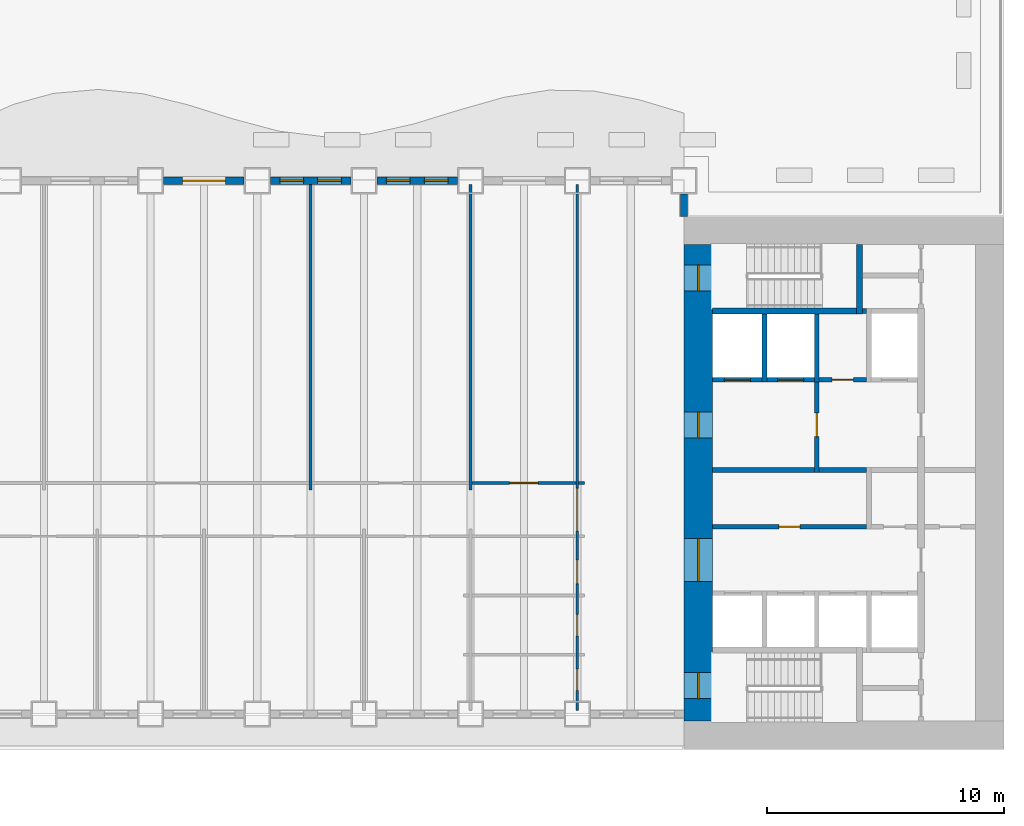
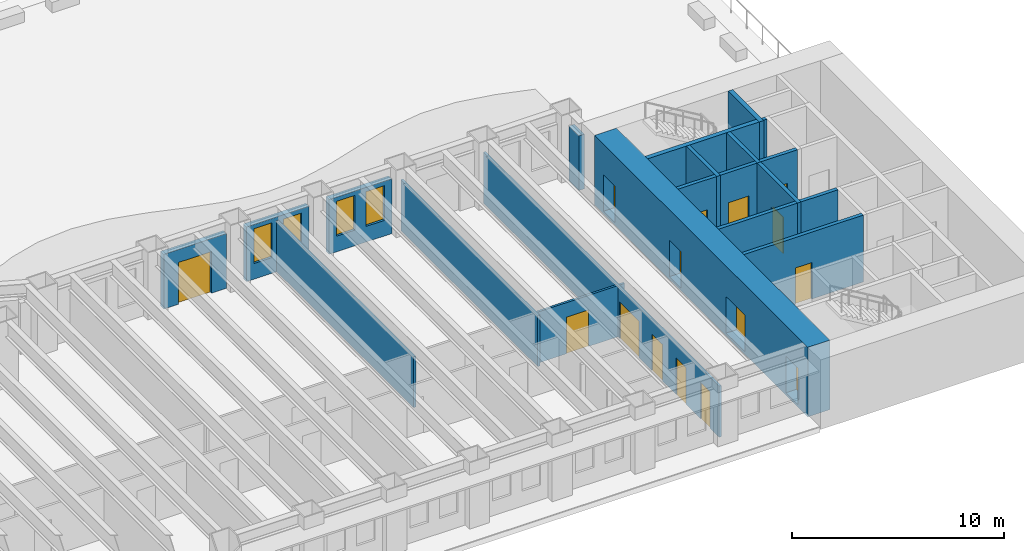
# One storey, part 6 of 18: 22 walls, 15 doors, 4 windows, 19 openings.
"""IFC4 building model written with IfcOpenShell, lengths in metres."""

import ifcopenshell
import ifcopenshell.guid

model = None  # the IFC model being written
_history = None  # IfcOwnerHistory: only IFC2X3 demands one
_inside = {}  # id of a spatial element -> (the spatial element, [elements in it])
_under = {}  # id of a project, library or spatial element -> (it, [spatial elements below it])
_declared = {}  # id of a project -> (the project, [libraries it declares])
_typed = {}  # id of a type object -> (the type object, [elements of that type])
_made_of = {}  # id of a material, layer set ... -> (it, [elements and type objects made of it])


def new_model(schema):
    """Start an empty IFC model of exactly this schema.

    Asked for "IFC4X3", IfcOpenShell would pick the latest addendum, in which some entities
    have other attributes; the version numbers below select the first issue.
    IFC2X3 requires an IfcOwnerHistory on every rooted entity: one is made here for all.
    """
    global model, _history
    if schema == "IFC4X3":
        model = ifcopenshell.file(schema_version=(4, 3, 0, 0))
    else:
        model = ifcopenshell.file(schema=schema)
    _inside.clear()
    _under.clear()
    _declared.clear()
    _typed.clear()
    _made_of.clear()
    _history = None
    if model.schema == "IFC2X3":
        org = make("IfcOrganization", Name="unknown")
        user = make(
            "IfcPersonAndOrganization",
            ThePerson=make("IfcPerson", FamilyName="unknown"),
            TheOrganization=org,
        )
        app = make(
            "IfcApplication",
            ApplicationDeveloper=org,
            Version="unknown",
            ApplicationFullName="unknown",
            ApplicationIdentifier="unknown",
        )
        _history = make(
            "IfcOwnerHistory",
            OwningUser=user,
            OwningApplication=app,
            ChangeAction="ADDED",
            CreationDate=0,
        )
    return model


def make(cls, **values):
    """One entity of the class cls with the attributes given. An attribute that is None is left unset."""
    return model.create_entity(
        cls, **{name: value for name, value in values.items() if value is not None}
    )


def rooted(cls, **values):
    """An entity with a GlobalId (a new one), such as an element, a storey or a relation."""
    return make(cls, GlobalId=ifcopenshell.guid.new(), OwnerHistory=_history, **values)


def si_unit(unit_type, name, prefix=None):
    """IfcSIUnit, for example si_unit("LENGTHUNIT", "METRE", prefix="MILLI")."""
    return make("IfcSIUnit", UnitType=unit_type, Prefix=prefix, Name=name)


def assignment(units):
    """IfcUnitAssignment: the units of a project."""
    return None if units is None else make("IfcUnitAssignment", Units=units)


def point(xyz):
    """IfcCartesianPoint."""
    return None if xyz is None else make("IfcCartesianPoint", Coordinates=xyz)


def direction(xyz):
    """IfcDirection."""
    return None if xyz is None else make("IfcDirection", DirectionRatios=xyz)


def frame(location, z_axis=None, x_axis=None):
    """IfcAxis2Placement3D, a coordinate frame: its origin and axes. An axis left out is left unset."""
    return make(
        "IfcAxis2Placement3D",
        Location=point(location),
        Axis=direction(z_axis),
        RefDirection=direction(x_axis),
    )


def frame_2d(location, x_axis=None):
    """IfcAxis2Placement2D, a coordinate frame in the plane: its origin and x axis."""
    return make(
        "IfcAxis2Placement2D", Location=point(location), RefDirection=direction(x_axis)
    )


def origin():
    """The frame at (0, 0, 0) with its axes left unset."""
    return frame((0.0, 0.0, 0.0))


def place(relative_to, where):
    """IfcLocalPlacement: puts the frame where relative to a parent placement (None: the world)."""
    return make(
        "IfcLocalPlacement", PlacementRelTo=relative_to, RelativePlacement=where
    )


def context(
    kind, dimensions, precision=None, world=None, true_north=None, identifier=None
):
    """IfcGeometricRepresentationContext, for example the 3D "Model" context."""
    return make(
        "IfcGeometricRepresentationContext",
        ContextIdentifier=identifier,
        ContextType=kind,
        CoordinateSpaceDimension=dimensions,
        Precision=precision,
        WorldCoordinateSystem=world,
        TrueNorth=true_north,
    )


def subcontext(parent, identifier, kind, view, scale=None):
    """IfcGeometricRepresentationSubContext, for example "Body" below "Model"."""
    return make(
        "IfcGeometricRepresentationSubContext",
        ContextIdentifier=identifier,
        ContextType=kind,
        ParentContext=parent,
        TargetScale=scale,
        TargetView=view,
    )


def project(units=None, contexts=None):
    """IfcProject with its units and contexts."""
    return rooted(
        "IfcProject",
        Name="project",
        RepresentationContexts=contexts,
        UnitsInContext=assignment(units),
    )


def spatial(cls, under=None, at=None, **own):
    """A site, building, storey or space (cls), placed at a placement, below another one or the project."""
    s = rooted(cls, ObjectPlacement=at, **own)
    if under is not None:
        _under.setdefault(under.id(), (under, []))[1].append(s)
    return s


def profile(cls, at=None, kind="AREA", **sizes):
    """A parametric profile (cls). Its sizes go by their IFC names, for example OverallWidth=200.0."""
    return make(cls, ProfileType=kind, Position=at, **sizes)


def rectangle(**sizes):
    """IfcRectangleProfileDef."""
    return profile("IfcRectangleProfileDef", **sizes)


def extrude(swept, where, along, depth):
    """IfcExtrudedAreaSolid: the profile swept, set in the frame where, extruded along a direction by depth."""
    return make(
        "IfcExtrudedAreaSolid",
        SweptArea=swept,
        Position=where,
        ExtrudedDirection=direction(along),
        Depth=depth,
    )


def shape(context_of_items, identifier, shape_type, items):
    """IfcShapeRepresentation: the items that make up one representation, for example the "Body"."""
    return make(
        "IfcShapeRepresentation",
        ContextOfItems=context_of_items,
        RepresentationIdentifier=identifier,
        RepresentationType=shape_type,
        Items=items,
    )


def material(Name=None, Category=None):
    """IfcMaterial."""
    return make("IfcMaterial", Name=Name, Category=Category)


def layer(
    of_material, thickness, ventilated=None, Name=None, Category=None, Priority=None
):
    """IfcMaterialLayer: one layer of a wall or slab, of a material (None: an air gap)."""
    return make(
        "IfcMaterialLayer",
        Material=of_material,
        LayerThickness=thickness,
        IsVentilated=ventilated,
        Name=Name,
        Category=Category,
        Priority=Priority,
    )


def layer_set(layers, Name=None):
    """IfcMaterialLayerSet."""
    return make("IfcMaterialLayerSet", MaterialLayers=layers, LayerSetName=Name)


def made_of(thing, what):
    """Note that an element or type object is made of a material, layer set ...; save() writes the relation."""
    if what is not None:
        _made_of.setdefault(what.id(), (what, []))[1].append(thing)
    return thing


def type_object(cls, material=None, **own):
    """A type object (cls), such as IfcWallType, which elements share."""
    return made_of(rooted(cls, **own), material)


def element(
    cls,
    number,
    at=None,
    inside=None,
    cuts=None,
    type_object=None,
    material=None,
    context=None,
    identifier="Body",
    shape_type=None,
    held_by="IfcProductDefinitionShape",
    body=None,
    shapes=None,
    **own,
):
    """One element of the class cls, such as IfcWall. Its Tag is "e" and its number.

    at: its placement. inside: the storey or other place that contains it. cuts: it is an
    opening in that element (IfcRelVoidsElement). A single representation is given by context,
    identifier, shape_type and body (its items); several are given by shapes. held_by: the class
    of the entity that holds the representations. save() writes the other relations.
    """
    e = rooted(cls, Tag="e%d" % number, ObjectPlacement=at, **own)
    if body is not None:
        shapes = [shape(context, identifier, shape_type, body)]
    if shapes is not None:
        e.Representation = make(held_by, Representations=shapes)
    if inside is not None:
        _inside.setdefault(inside.id(), (inside, []))[1].append(e)
    if cuts is not None:
        rooted(
            "IfcRelVoidsElement", RelatingBuildingElement=cuts, RelatedOpeningElement=e
        )
    if type_object is not None:
        _typed.setdefault(type_object.id(), (type_object, []))[1].append(e)
    return made_of(e, material)


def fill(opening, filler):
    """IfcRelFillsElement: the door or window that sits in an opening."""
    return rooted(
        "IfcRelFillsElement",
        RelatingOpeningElement=opening,
        RelatedBuildingElement=filler,
    )


def aggregate(whole, parts):
    """IfcRelAggregates: a whole, such as a stair, and the parts it consists of."""
    return rooted("IfcRelAggregates", RelatingObject=whole, RelatedObjects=parts)


def save(model, path):
    """Write the relations noted so far, then the file.

    IfcRelAggregates (storeys below a building ...), IfcRelContainedInSpatialStructure (elements
    in a storey), IfcRelDefinesByType, IfcRelAssociatesMaterial and IfcRelDeclares: one each for
    every whole, place, type object, material and project.
    """
    for whole, parts in _under.values():
        aggregate(whole, parts)
    for where, things in _inside.values():
        rooted(
            "IfcRelContainedInSpatialStructure",
            RelatedElements=things,
            RelatingStructure=where,
        )
    for kind, things in _typed.values():
        rooted("IfcRelDefinesByType", RelatedObjects=things, RelatingType=kind)
    for what, things in _made_of.values():
        rooted("IfcRelAssociatesMaterial", RelatedObjects=things, RelatingMaterial=what)
    for by, libraries in _declared.values():
        rooted("IfcRelDeclares", RelatingContext=by, RelatedDefinitions=libraries)
    model.write(path)


model = new_model("IFC4")

# Units and contexts
model_context = context("Model", 3, precision=1e-05, world=origin(), true_north=direction((0.0, 1.0)))
body_context = subcontext(model_context, "Body", "Model", "MODEL_VIEW")
ifc_project = project(units=[si_unit("LENGTHUNIT", "METRE"), si_unit("AREAUNIT", "SQUARE_METRE"), si_unit("VOLUMEUNIT", "CUBIC_METRE"), si_unit("PLANEANGLEUNIT", "RADIAN"), si_unit("MASSUNIT", "GRAM", prefix="KILO")], contexts=[model_context])

# Site, building, storey
site_placement = place(None, origin())
site = spatial("IfcSite", under=ifc_project, at=site_placement, CompositionType="ELEMENT")
building_placement = place(site_placement, origin())
building = spatial("IfcBuilding", under=site, at=building_placement, Name="Sennacour Bend Tower", CompositionType="ELEMENT")
storey_placement = place(building_placement, frame((0.0, 0.0, 29.0)))
storey = spatial("IfcBuildingStorey", under=building, at=storey_placement, Name="L05", CompositionType="ELEMENT", Elevation=29.0)

# Wall, openings, doors
ifc_material_1 = material(Name="Concrete C80/95", Category="concrete")
ifc_layer_1 = layer(ifc_material_1, 1.199951171875, Name="Concrete C80/95", Category="concrete")
ifc_layer_set_1 = layer_set([ifc_layer_1], Name="Concrete C80/95")
wall_type_1 = type_object("IfcWallType", Name="Core wall 1200 C80/95", PredefinedType="SHEAR", material=ifc_layer_set_1)
wall_1_placement = place(storey_placement, frame((54.60009765625, 1.199951171875, -0.14990234375), z_axis=(0.0, 0.0, 1.0), x_axis=(0.0, 1.0, 0.0)))
wall_1 = element("IfcWall", 1, at=wall_1_placement, inside=storey, type_object=wall_type_1, Name="Core A wall L05 W", PredefinedType="SHEAR", context=body_context, shape_type="SweptSolid", body=[
    extrude(rectangle(XDim=20.10009765625, YDim=1.199951171875, at=frame_2d((10.050048828125, 0.0))), origin(), (0.0, 0.0, 1.0), 4.0),
])
opening_1_placement = place(wall_1_placement, frame((5.89990234375, 0.0, 0.14990234375)))
opening_1 = element("IfcOpeningElement", 2, at=opening_1_placement, cuts=wall_1, Name="Opening CD", PredefinedType="OPENING", context=body_context, shape_type="SweptSolid", body=[
    extrude(rectangle(XDim=1.800048828125, YDim=2.10009765625, at=frame_2d((0.89990234375, 1.050048828125))), frame((0.0, 0.60986328125, 0.0), z_axis=(0.0, -1.0, 0.0), x_axis=(1.0, 0.0, 0.0)), (0.0, 0.0, 1.0), 1.219970703125),
])
opening_2_placement = place(wall_1_placement, frame((11.949951171875, 0.0, 0.14990234375)))
opening_2 = element("IfcOpeningElement", 3, at=opening_2_placement, cuts=wall_1, Name="Opening FD", PredefinedType="OPENING", context=body_context, shape_type="SweptSolid", body=[
    extrude(rectangle(XDim=1.10009765625, YDim=2.10009765625, at=frame_2d((0.550048828125, 1.050048828125))), frame((0.0, 0.60986328125, 0.0), z_axis=(0.0, -1.0, 0.0), x_axis=(1.0, 0.0, 0.0)), (0.0, 0.0, 1.0), 1.219970703125),
])
opening_3_placement = place(wall_1_placement, frame((0.949951171875, 0.0, 0.14990234375)))
opening_3 = element("IfcOpeningElement", 4, at=opening_3_placement, cuts=wall_1, Name="Opening SD", PredefinedType="OPENING", context=body_context, shape_type="SweptSolid", body=[
    extrude(rectangle(XDim=1.10009765625, YDim=2.10009765625, at=frame_2d((0.550048828125, 1.050048828125))), frame((0.0, 0.60986328125, 0.0), z_axis=(0.0, -1.0, 0.0), x_axis=(1.0, 0.0, 0.0)), (0.0, 0.0, 1.0), 1.219970703125),
])
opening_4_placement = place(wall_1_placement, frame((18.14990234375, 0.0, 0.14990234375)))
opening_4 = element("IfcOpeningElement", 5, at=opening_4_placement, cuts=wall_1, Name="Opening SD", PredefinedType="OPENING", context=body_context, shape_type="SweptSolid", body=[
    extrude(rectangle(XDim=1.10009765625, YDim=2.10009765625, at=frame_2d((0.550048828125, 1.050048828125))), frame((0.0, 0.60986328125, 0.0), z_axis=(0.0, -1.0, 0.0), x_axis=(1.0, 0.0, 0.0)), (0.0, 0.0, 1.0), 1.219970703125),
])
ifc_material_2 = material(Name="Painted steel", Category="steel")
door_type_1 = type_object("IfcDoorType", Name="DR-FFL-1100", OperationType="NOTDEFINED", PredefinedType="DOOR", material=ifc_material_2)
door_1_placement = place(opening_2_placement, origin())
door_1 = element("IfcDoor", 6, at=door_1_placement, inside=storey, type_object=door_type_1, Name="Door", OperationType="SINGLE_SWING_RIGHT", OverallHeight=2.10009765625, OverallWidth=1.10009765625, PredefinedType="DOOR", context=body_context, shape_type="SweptSolid", body=[
    extrude(rectangle(XDim=1.10009765625, YDim=2.10009765625, at=frame_2d((0.550048828125, 1.050048828125))), frame((0.0, 0.02490234375, 0.0), z_axis=(0.0, -1.0, 0.0), x_axis=(1.0, 0.0, 0.0)), (0.0, 0.0, 1.0), 0.050048828125),
])
fill(opening_2, door_1)
door_type_2 = type_object("IfcDoorType", Name="DR-LOBBY-1800", OperationType="NOTDEFINED", PredefinedType="DOOR", material=ifc_material_2)
door_2_placement = place(opening_1_placement, origin())
door_2 = element("IfcDoor", 7, at=door_2_placement, inside=storey, type_object=door_type_2, Name="Door", OperationType="DOUBLE_DOOR_SINGLE_SWING", OverallHeight=2.10009765625, OverallWidth=1.800048828125, PredefinedType="DOOR", context=body_context, shape_type="SweptSolid", body=[
    extrude(rectangle(XDim=1.800048828125, YDim=2.10009765625, at=frame_2d((0.89990234375, 1.050048828125))), frame((0.0, 0.02490234375, 0.0), z_axis=(0.0, -1.0, 0.0), x_axis=(1.0, 0.0, 0.0)), (0.0, 0.0, 1.0), 0.050048828125),
])
fill(opening_1, door_2)
door_type_3 = type_object("IfcDoorType", Name="DR-STAIR-1100", OperationType="NOTDEFINED", PredefinedType="DOOR", material=ifc_material_2)
door_3_placement = place(opening_3_placement, origin())
door_3 = element("IfcDoor", 8, at=door_3_placement, inside=storey, type_object=door_type_3, Name="Door", OperationType="SINGLE_SWING_LEFT", OverallHeight=2.10009765625, OverallWidth=1.10009765625, PredefinedType="DOOR", context=body_context, shape_type="SweptSolid", body=[
    extrude(rectangle(XDim=1.10009765625, YDim=2.10009765625, at=frame_2d((0.550048828125, 1.050048828125))), frame((0.0, 0.02490234375, 0.0), z_axis=(0.0, -1.0, 0.0), x_axis=(1.0, 0.0, 0.0)), (0.0, 0.0, 1.0), 0.050048828125),
])
fill(opening_3, door_3)
door_4_placement = place(opening_4_placement, origin())
door_4 = element("IfcDoor", 9, at=door_4_placement, inside=storey, type_object=door_type_3, Name="Door", OperationType="SINGLE_SWING_RIGHT", OverallHeight=2.10009765625, OverallWidth=1.10009765625, PredefinedType="DOOR", context=body_context, shape_type="SweptSolid", body=[
    extrude(rectangle(XDim=1.10009765625, YDim=2.10009765625, at=frame_2d((0.550048828125, 1.050048828125))), frame((0.0, 0.02490234375, 0.0), z_axis=(0.0, -1.0, 0.0), x_axis=(1.0, 0.0, 0.0)), (0.0, 0.0, 1.0), 0.050048828125),
])
fill(opening_4, door_4)

# Walls
ifc_material_3 = material(Name="Plasterboard partition on steel studs", Category="steel")
ifc_layer_2 = layer(ifc_material_3, 0.1201171875, Name="Plasterboard partition on steel studs", Category="steel")
ifc_layer_set_2 = layer_set([ifc_layer_2], Name="Plasterboard partition on steel studs")
wall_type_2 = type_object("IfcWallType", Name="Partition 120", PredefinedType="PARTITIONING", material=ifc_layer_set_2)
for number, where, z_axis, x_axis, name in (
    (10, (38.25, 10.949951171875, 0.0), (0.0, 0.0, 1.0), (0.0, 1.0, 0.0), "P-L05-W031a"),
    (11, (45.0, 10.949951171875, 0.0), (0.0, 0.0, 1.0), (0.0, 1.0, 0.0), "P-L05-W034a"),
):
    element("IfcWall", number, at=place(storey_placement, frame(where, z_axis=z_axis, x_axis=x_axis)), inside=storey, type_object=wall_type_2, Name=name, PredefinedType="PARTITIONING", context=body_context, shape_type="SweptSolid", body=[
        extrude(rectangle(XDim=12.900146484375, YDim=0.1201171875, at=frame_2d((6.4501953125, 0.0))), origin(), (0.0, 0.0, 1.0), 2.93798828125),
    ])

# Wall, opening, door
wall_2_placement = place(storey_placement, frame((45.06005859375, 11.25, 0.0), z_axis=(0.0, 0.0, 1.0), x_axis=(1.0, 0.0, 0.0)))
wall_2 = element("IfcWall", 12, at=wall_2_placement, inside=storey, type_object=wall_type_2, Name="P-L05-W063af", PredefinedType="PARTITIONING", context=body_context, shape_type="SweptSolid", body=[
    extrude(rectangle(XDim=4.3798828125, YDim=0.1201171875, at=frame_2d((2.18994140625, 0.0))), origin(), (0.0, 0.0, 1.0), 2.93798828125),
])
opening_5_placement = place(wall_2_placement, frame((1.58984375, 0.0, 0.0)))
opening_5 = element("IfcOpeningElement", 13, at=opening_5_placement, cuts=wall_2, Name="Opening MD", PredefinedType="OPENING", context=body_context, shape_type="SweptSolid", body=[
    extrude(rectangle(XDim=1.199951171875, YDim=2.10009765625, at=frame_2d((0.60009765625, 1.050048828125))), frame((0.0, 0.070068359375, 0.0), z_axis=(0.0, -1.0, 0.0), x_axis=(1.0, 0.0, 0.0)), (0.0, 0.0, 1.0), 0.14013671875),
])
ifc_material_4 = material(Name="Timber", Category="wood")
door_type_4 = type_object("IfcDoorType", Name="DR-MEETING-1200", OperationType="NOTDEFINED", PredefinedType="DOOR", material=ifc_material_4)
door_5_placement = place(opening_5_placement, origin())
door_5 = element("IfcDoor", 14, at=door_5_placement, inside=storey, type_object=door_type_4, Name="Door", OperationType="SINGLE_SWING_LEFT", OverallHeight=2.10009765625, OverallWidth=1.199951171875, PredefinedType="DOOR", context=body_context, shape_type="SweptSolid", body=[
    extrude(rectangle(XDim=1.199951171875, YDim=2.10009765625, at=frame_2d((0.60009765625, 1.050048828125))), frame((0.0, 0.02490234375, 0.0), z_axis=(0.0, -1.0, 0.0), x_axis=(1.0, 0.0, 0.0)), (0.0, 0.0, 1.0), 0.050048828125),
])
fill(opening_5, door_5)

# Wall
wall_3_placement = place(storey_placement, frame((49.56005859375, 11.25, 0.0), z_axis=(0.0, 0.0, 1.0), x_axis=(1.0, 0.0, 0.0)))
element("IfcWall", 15, at=wall_3_placement, inside=storey, type_object=wall_type_2, Name="P-L05-W063ag", PredefinedType="PARTITIONING", context=body_context, shape_type="SweptSolid", body=[
    extrude(rectangle(XDim=0.239990234375, YDim=0.1201171875, at=frame_2d((0.1201171875, 0.0))), origin(), (0.0, 0.0, 1.0), 2.93798828125),
])

# Wall, openings, doors
ifc_layer_3 = layer(ifc_material_3, 0.1201171875, Name="Plasterboard partition on steel studs", Category="steel")
ifc_layer_set_3 = layer_set([ifc_layer_3], Name="Plasterboard partition on steel studs")
wall_type_3 = type_object("IfcWallType", Name="Partition 120 EI 30", PredefinedType="PARTITIONING", material=ifc_layer_set_3)
wall_4_placement = place(storey_placement, frame((49.5, 1.64990234375, 0.0), z_axis=(0.0, 0.0, 1.0), x_axis=(0.0, 1.0, 0.0)))
wall_4 = element("IfcWall", 16, at=wall_4_placement, inside=storey, type_object=wall_type_3, Name="P-L05-W035a", PredefinedType="PARTITIONING", context=body_context, shape_type="SweptSolid", body=[
    extrude(rectangle(XDim=22.2001953125, YDim=0.1201171875, at=frame_2d((11.10009765625, 0.0))), origin(), (0.0, 0.0, 1.0), 2.93798828125),
])
opening_6_placement = place(wall_4_placement, frame((7.5751953125, 0.0, 0.0)))
opening_6 = element("IfcOpeningElement", 17, at=opening_6_placement, cuts=wall_4, Name="Opening KD3", PredefinedType="OPENING", context=body_context, shape_type="SweptSolid", body=[
    extrude(rectangle(XDim=1.800048828125, YDim=2.10009765625, at=frame_2d((0.89990234375, 1.050048828125))), frame((0.0, 0.070068359375, 0.0), z_axis=(0.0, -1.0, 0.0), x_axis=(1.0, 0.0, 0.0)), (0.0, 0.0, 1.0), 0.14013671875),
])
opening_7_placement = place(wall_4_placement, frame((0.85009765625, 0.0, 0.0)))
opening_7 = element("IfcOpeningElement", 18, at=opening_7_placement, cuts=wall_4, Name="Opening WD", PredefinedType="OPENING", context=body_context, shape_type="SweptSolid", body=[
    extrude(rectangle(XDim=0.89990234375, YDim=2.10009765625, at=frame_2d((0.449951171875, 1.050048828125))), frame((0.0, 0.070068359375, 0.0), z_axis=(0.0, -1.0, 0.0), x_axis=(1.0, 0.0, 0.0)), (0.0, 0.0, 1.0), 0.14013671875),
])
opening_8_placement = place(wall_4_placement, frame((3.150146484375, 0.0, 0.0)))
opening_8 = element("IfcOpeningElement", 19, at=opening_8_placement, cuts=wall_4, Name="Opening WD", PredefinedType="OPENING", context=body_context, shape_type="SweptSolid", body=[
    extrude(rectangle(XDim=0.89990234375, YDim=2.10009765625, at=frame_2d((0.449951171875, 1.050048828125))), frame((0.0, 0.070068359375, 0.0), z_axis=(0.0, -1.0, 0.0), x_axis=(1.0, 0.0, 0.0)), (0.0, 0.0, 1.0), 0.14013671875),
])
opening_9_placement = place(wall_4_placement, frame((5.35009765625, 0.0, 0.0)))
opening_9 = element("IfcOpeningElement", 20, at=opening_9_placement, cuts=wall_4, Name="Opening AD", PredefinedType="OPENING", context=body_context, shape_type="SweptSolid", body=[
    extrude(rectangle(XDim=1.0, YDim=2.10009765625, at=frame_2d((0.5, 1.050048828125))), frame((0.0, 0.070068359375, 0.0), z_axis=(0.0, -1.0, 0.0), x_axis=(1.0, 0.0, 0.0)), (0.0, 0.0, 1.0), 0.14013671875),
])
door_type_5 = type_object("IfcDoorType", Name="DR-ACC-WC-1000", OperationType="NOTDEFINED", PredefinedType="DOOR", material=ifc_material_4)
door_6_placement = place(opening_9_placement, origin())
door_6 = element("IfcDoor", 21, at=door_6_placement, inside=storey, type_object=door_type_5, Name="Door", OperationType="SINGLE_SWING_LEFT", OverallHeight=2.10009765625, OverallWidth=1.0, PredefinedType="DOOR", context=body_context, shape_type="SweptSolid", body=[
    extrude(rectangle(XDim=1.0, YDim=2.10009765625, at=frame_2d((0.5, 1.050048828125))), frame((0.0, 0.02490234375, 0.0), z_axis=(0.0, -1.0, 0.0), x_axis=(1.0, 0.0, 0.0)), (0.0, 0.0, 1.0), 0.050048828125),
])
fill(opening_9, door_6)
door_type_6 = type_object("IfcDoorType", Name="DR-CORRIDOR-1800", OperationType="NOTDEFINED", PredefinedType="DOOR", material=ifc_material_2)
door_7_placement = place(opening_6_placement, origin())
door_7 = element("IfcDoor", 22, at=door_7_placement, inside=storey, type_object=door_type_6, Name="Door", OperationType="DOUBLE_DOOR_SINGLE_SWING", OverallHeight=2.10009765625, OverallWidth=1.800048828125, PredefinedType="DOOR", context=body_context, shape_type="SweptSolid", body=[
    extrude(rectangle(XDim=1.800048828125, YDim=2.10009765625, at=frame_2d((0.89990234375, 1.050048828125))), frame((0.0, 0.02490234375, 0.0), z_axis=(0.0, -1.0, 0.0), x_axis=(1.0, 0.0, 0.0)), (0.0, 0.0, 1.0), 0.050048828125),
])
fill(opening_6, door_7)
door_type_7 = type_object("IfcDoorType", Name="DR-WC-900", OperationType="NOTDEFINED", PredefinedType="DOOR", material=ifc_material_4)
door_8_placement = place(opening_7_placement, origin())
door_8 = element("IfcDoor", 23, at=door_8_placement, inside=storey, type_object=door_type_7, Name="Door", OperationType="SINGLE_SWING_LEFT", OverallHeight=2.10009765625, OverallWidth=0.89990234375, PredefinedType="DOOR", context=body_context, shape_type="SweptSolid", body=[
    extrude(rectangle(XDim=0.89990234375, YDim=2.10009765625, at=frame_2d((0.449951171875, 1.050048828125))), frame((0.0, 0.02490234375, 0.0), z_axis=(0.0, -1.0, 0.0), x_axis=(1.0, 0.0, 0.0)), (0.0, 0.0, 1.0), 0.050048828125),
])
fill(opening_7, door_8)
door_9_placement = place(opening_8_placement, origin())
door_9 = element("IfcDoor", 24, at=door_9_placement, inside=storey, type_object=door_type_7, Name="Door", OperationType="SINGLE_SWING_LEFT", OverallHeight=2.10009765625, OverallWidth=0.89990234375, PredefinedType="DOOR", context=body_context, shape_type="SweptSolid", body=[
    extrude(rectangle(XDim=0.89990234375, YDim=2.10009765625, at=frame_2d((0.449951171875, 1.050048828125))), frame((0.0, 0.02490234375, 0.0), z_axis=(0.0, -1.0, 0.0), x_axis=(1.0, 0.0, 0.0)), (0.0, 0.0, 1.0), 0.050048828125),
])
fill(opening_8, door_9)

# Wall, opening, door
ifc_material_5 = material(Name="Fire-rated plasterboard partition on steel studs", Category="steel")
ifc_layer_4 = layer(ifc_material_5, 0.199951171875, Name="Fire-rated plasterboard partition on steel studs", Category="steel")
ifc_layer_set_4 = layer_set([ifc_layer_4], Name="Fire-rated plasterboard partition on steel studs")
wall_type_4 = type_object("IfcWallType", Name="Rated partition 200", PredefinedType="PARTITIONING", material=ifc_layer_set_4)
wall_5_placement = place(storey_placement, frame((55.199951171875, 9.39990234375, 0.0), z_axis=(0.0, 0.0, 1.0), x_axis=(1.0, 0.0, 0.0)))
wall_5 = element("IfcWall", 25, at=wall_5_placement, inside=storey, type_object=wall_type_4, Name="P-L05-W062a", PredefinedType="PARTITIONING", context=body_context, shape_type="SweptSolid", body=[
    extrude(rectangle(XDim=6.5, YDim=0.199951171875, at=frame_2d((3.25, 0.0))), origin(), (0.0, 0.0, 1.0), 3.85009765625),
])
opening_10_placement = place(wall_5_placement, frame((2.800048828125, 0.0, 0.0)))
opening_10 = element("IfcOpeningElement", 26, at=opening_10_placement, cuts=wall_5, Name="Opening SV", PredefinedType="OPENING", context=body_context, shape_type="SweptSolid", body=[
    extrude(rectangle(XDim=0.89990234375, YDim=2.10009765625, at=frame_2d((0.449951171875, 1.050048828125))), frame((0.0, 0.10986328125, 0.0), z_axis=(0.0, -1.0, 0.0), x_axis=(1.0, 0.0, 0.0)), (0.0, 0.0, 1.0), 0.219970703125),
])
door_type_8 = type_object("IfcDoorType", Name="DR-SERVICE-900", OperationType="NOTDEFINED", PredefinedType="DOOR", material=ifc_material_2)
door_10_placement = place(opening_10_placement, origin())
door_10 = element("IfcDoor", 27, at=door_10_placement, inside=storey, type_object=door_type_8, Name="Door", OperationType="SINGLE_SWING_LEFT", OverallHeight=2.10009765625, OverallWidth=0.89990234375, PredefinedType="DOOR", context=body_context, shape_type="SweptSolid", body=[
    extrude(rectangle(XDim=0.89990234375, YDim=2.10009765625, at=frame_2d((0.449951171875, 1.050048828125))), frame((0.0, 0.02490234375, 0.0), z_axis=(0.0, -1.0, 0.0), x_axis=(1.0, 0.0, 0.0)), (0.0, 0.0, 1.0), 0.050048828125),
])
fill(opening_10, door_10)

# Walls
wall_6_placement = place(storey_placement, frame((55.199951171875, 11.800048828125, 0.0), z_axis=(0.0, 0.0, 1.0), x_axis=(1.0, 0.0, 0.0)))
element("IfcWall", 28, at=wall_6_placement, inside=storey, type_object=wall_type_4, Name="P-L05-W064a", PredefinedType="PARTITIONING", context=body_context, shape_type="SweptSolid", body=[
    extrude(rectangle(XDim=4.300048828125, YDim=0.199951171875, at=frame_2d((2.14990234375, 0.0))), origin(), (0.0, 0.0, 1.0), 3.85009765625),
])
wall_7_placement = place(storey_placement, frame((59.699951171875, 11.800048828125, 0.0), z_axis=(0.0, 0.0, 1.0), x_axis=(1.0, 0.0, 0.0)))
element("IfcWall", 29, at=wall_7_placement, inside=storey, type_object=wall_type_4, Name="P-L05-W064b", PredefinedType="PARTITIONING", context=body_context, shape_type="SweptSolid", body=[
    extrude(rectangle(XDim=2.0, YDim=0.199951171875, at=frame_2d((1.0, 0.0))), origin(), (0.0, 0.0, 1.0), 3.85009765625),
])

# Wall, opening, door
wall_8_placement = place(storey_placement, frame((59.699951171875, 15.60009765625, 0.0), z_axis=(0.0, 0.0, 1.0), x_axis=(1.0, 0.0, 0.0)))
wall_8 = element("IfcWall", 30, at=wall_8_placement, inside=storey, type_object=wall_type_4, Name="P-L05-W066", PredefinedType="PARTITIONING", context=body_context, shape_type="SweptSolid", body=[
    extrude(rectangle(XDim=2.0, YDim=0.199951171875, at=frame_2d((1.0, 0.0))), origin(), (0.0, 0.0, 1.0), 3.85009765625),
])
opening_11_placement = place(wall_8_placement, frame((0.550048828125, 0.0, 0.0)))
opening_11 = element("IfcOpeningElement", 31, at=opening_11_placement, cuts=wall_8, Name="Opening SV", PredefinedType="OPENING", context=body_context, shape_type="SweptSolid", body=[
    extrude(rectangle(XDim=0.89990234375, YDim=2.10009765625, at=frame_2d((0.449951171875, 1.050048828125))), frame((0.0, 0.10986328125, 0.0), z_axis=(0.0, -1.0, 0.0), x_axis=(1.0, 0.0, 0.0)), (0.0, 0.0, 1.0), 0.219970703125),
])
door_11_placement = place(opening_11_placement, origin())
door_11 = element("IfcDoor", 32, at=door_11_placement, inside=storey, type_object=door_type_8, Name="Door", OperationType="SINGLE_SWING_RIGHT", OverallHeight=2.10009765625, OverallWidth=0.89990234375, PredefinedType="DOOR", context=body_context, shape_type="SweptSolid", body=[
    extrude(rectangle(XDim=0.89990234375, YDim=2.10009765625, at=frame_2d((0.449951171875, 1.050048828125))), frame((0.0, 0.02490234375, 0.0), z_axis=(0.0, -1.0, 0.0), x_axis=(1.0, 0.0, 0.0)), (0.0, 0.0, 1.0), 0.050048828125),
])
fill(opening_11, door_11)

# Wall
wall_9_placement = place(storey_placement, frame((61.52490234375, 18.5, 0.0), z_axis=(0.0, 0.0, 1.0), x_axis=(1.0, 0.0, 0.0)))
element("IfcWall", 33, at=wall_9_placement, inside=storey, type_object=wall_type_4, Name="P-L05-W070", PredefinedType="PARTITIONING", context=body_context, shape_type="SweptSolid", body=[
    extrude(rectangle(XDim=0.175048828125, YDim=0.199951171875, at=frame_2d((0.08740234375, 0.0))), origin(), (0.0, 0.0, 1.0), 3.85009765625),
])

# Wall, opening, door
ifc_layer_5 = layer(ifc_material_5, 0.199951171875, Name="Fire-rated plasterboard partition on steel studs", Category="steel")
ifc_layer_set_5 = layer_set([ifc_layer_5], Name="Fire-rated plasterboard partition on steel studs")
wall_type_5 = type_object("IfcWallType", Name="Rated partition 200 EI 90", PredefinedType="PARTITIONING", material=ifc_layer_set_5)
wall_10_placement = place(storey_placement, frame((59.60009765625, 11.699951171875, 0.0), z_axis=(0.0, 0.0, 1.0), x_axis=(0.0, 1.0, 0.0)))
wall_10 = element("IfcWall", 34, at=wall_10_placement, inside=storey, type_object=wall_type_5, Name="P-L05-W040", PredefinedType="PARTITIONING", context=body_context, shape_type="SweptSolid", body=[
    extrude(rectangle(XDim=3.800048828125, YDim=0.199951171875, at=frame_2d((1.89990234375, 0.0))), origin(), (0.0, 0.0, 1.0), 3.85009765625),
])
opening_12_placement = place(wall_10_placement, frame((1.5, 0.0, 0.0)))
opening_12 = element("IfcOpeningElement", 35, at=opening_12_placement, cuts=wall_10, Name="Opening FD2", PredefinedType="OPENING", context=body_context, shape_type="SweptSolid", body=[
    extrude(rectangle(XDim=1.0, YDim=2.10009765625, at=frame_2d((0.5, 1.050048828125))), frame((0.0, 0.10986328125, 0.0), z_axis=(0.0, -1.0, 0.0), x_axis=(1.0, 0.0, 0.0)), (0.0, 0.0, 1.0), 0.219970703125),
])
door_type_9 = type_object("IfcDoorType", Name="DR-FFL-1000", OperationType="NOTDEFINED", PredefinedType="DOOR", material=ifc_material_2)
door_12_placement = place(opening_12_placement, origin())
door_12 = element("IfcDoor", 36, at=door_12_placement, inside=storey, type_object=door_type_9, Name="Door", OperationType="SINGLE_SWING_RIGHT", OverallHeight=2.10009765625, OverallWidth=1.0, PredefinedType="DOOR", context=body_context, shape_type="SweptSolid", body=[
    extrude(rectangle(XDim=1.0, YDim=2.10009765625, at=frame_2d((0.5, 1.050048828125))), frame((0.0, 0.02490234375, 0.0), z_axis=(0.0, -1.0, 0.0), x_axis=(1.0, 0.0, 0.0)), (0.0, 0.0, 1.0), 0.050048828125),
])
fill(opening_12, door_12)

# Wall
ifc_material_6 = material(Name="Warm limestone cladding", Category="masonry")
ifc_layer_6 = layer(ifc_material_6, 0.050048828125, Name="Warm limestone cladding", Category="masonry")
ifc_material_7 = material(Name="Precast concrete C40/50", Category="concrete")
ifc_layer_7 = layer(ifc_material_7, 0.25, Name="Precast concrete C40/50", Category="concrete")
ifc_layer_set_6 = layer_set([ifc_layer_6, ifc_layer_7], Name="Precast concrete C40/50 with limestone cladding")
wall_type_6 = type_object("IfcWallType", Name="STONE-CLAD PRECAST SPANDREL 300", PredefinedType="STANDARD", material=ifc_layer_set_6)
wall_11_placement = place(storey_placement, frame((54.0, 22.5, 0.0), z_axis=(0.0, 0.0, 1.0), x_axis=(0.0, 1.0, 0.0)))
element("IfcWall", 37, at=wall_11_placement, inside=storey, type_object=wall_type_6, Name="Stone spandrel and pier wall L05 07.00", PredefinedType="STANDARD", context=body_context, shape_type="SweptSolid", body=[
    extrude(rectangle(XDim=0.949951171875, YDim=0.300048828125, at=frame_2d((0.47509765625, 0.0))), origin(), (0.0, 0.0, 1.0), 3.14404296875),
])

# Wall, openings, windows
wall_12_placement = place(storey_placement, frame((44.449951171875, 24.0, 0.0), z_axis=(0.0, 0.0, 1.0), x_axis=(-1.0, 0.0, 0.0)))
wall_12 = element("IfcWall", 38, at=wall_12_placement, inside=storey, type_object=wall_type_6, Name="Stone spandrel and pier wall L05 08.02", PredefinedType="STANDARD", context=body_context, shape_type="SweptSolid", body=[
    extrude(rectangle(XDim=3.39990234375, YDim=0.300048828125, at=frame_2d((1.699951171875, 0.0))), origin(), (0.0, 0.0, 1.0), 3.14404296875),
])
opening_13_placement = place(wall_12_placement, frame((0.39990234375, 0.0, 0.89990234375)))
opening_13 = element("IfcOpeningElement", 39, at=opening_13_placement, cuts=wall_12, Name="Opening W8", PredefinedType="OPENING", context=body_context, shape_type="SweptSolid", body=[
    extrude(rectangle(XDim=1.0, YDim=2.0, at=frame_2d((0.5, 1.0))), frame((0.0, 0.16015625, 0.0), z_axis=(0.0, -1.0, 0.0), x_axis=(1.0, 0.0, 0.0)), (0.0, 0.0, 1.0), 0.320068359375),
])
opening_14_placement = place(wall_12_placement, frame((2.0, 0.0, 0.89990234375)))
opening_14 = element("IfcOpeningElement", 40, at=opening_14_placement, cuts=wall_12, Name="Opening W8", PredefinedType="OPENING", context=body_context, shape_type="SweptSolid", body=[
    extrude(rectangle(XDim=1.0, YDim=2.0, at=frame_2d((0.5, 1.0))), frame((0.0, 0.16015625, 0.0), z_axis=(0.0, -1.0, 0.0), x_axis=(1.0, 0.0, 0.0)), (0.0, 0.0, 1.0), 0.320068359375),
])
ifc_material_8 = material(Name="Clear low-emissivity glass", Category="glass")
window_type = type_object("IfcWindowType", Name="WIN-RIBBON-1000x2000", PartitioningType="SINGLE_PANEL", PredefinedType="WINDOW", material=ifc_material_8)
window_1_placement = place(opening_13_placement, origin())
window_1 = element("IfcWindow", 41, at=window_1_placement, inside=storey, type_object=window_type, Name="Ribbon window L05 08.02.0", OverallHeight=2.0, OverallWidth=1.0, PartitioningType="SINGLE_PANEL", PredefinedType="WINDOW", context=body_context, shape_type="SweptSolid", body=[
    extrude(rectangle(XDim=1.0, YDim=2.0, at=frame_2d((0.5, 1.0))), frame((0.0, 0.030029296875, 0.0), z_axis=(0.0, -1.0, 0.0), x_axis=(1.0, 0.0, 0.0)), (0.0, 0.0, 1.0), 0.06005859375),
])
fill(opening_13, window_1)
window_2_placement = place(opening_14_placement, origin())
window_2 = element("IfcWindow", 42, at=window_2_placement, inside=storey, type_object=window_type, Name="Ribbon window L05 08.02.1", OverallHeight=2.0, OverallWidth=1.0, PartitioningType="SINGLE_PANEL", PredefinedType="WINDOW", context=body_context, shape_type="SweptSolid", body=[
    extrude(rectangle(XDim=1.0, YDim=2.0, at=frame_2d((0.5, 1.0))), frame((0.0, 0.030029296875, 0.0), z_axis=(0.0, -1.0, 0.0), x_axis=(1.0, 0.0, 0.0)), (0.0, 0.0, 1.0), 0.06005859375),
])
fill(opening_14, window_2)

wall_13_placement = place(storey_placement, frame((39.949951171875, 24.0, 0.0), z_axis=(0.0, 0.0, 1.0), x_axis=(-1.0, 0.0, 0.0)))
wall_13 = element("IfcWall", 43, at=wall_13_placement, inside=storey, type_object=wall_type_6, Name="Stone spandrel and pier wall L05 08.03", PredefinedType="STANDARD", context=body_context, shape_type="SweptSolid", body=[
    extrude(rectangle(XDim=3.39990234375, YDim=0.300048828125, at=frame_2d((1.699951171875, 0.0))), origin(), (0.0, 0.0, 1.0), 3.14404296875),
])
opening_15_placement = place(wall_13_placement, frame((0.39990234375, 0.0, 0.89990234375)))
opening_15 = element("IfcOpeningElement", 44, at=opening_15_placement, cuts=wall_13, Name="Opening W8", PredefinedType="OPENING", context=body_context, shape_type="SweptSolid", body=[
    extrude(rectangle(XDim=1.0, YDim=2.0, at=frame_2d((0.5, 1.0))), frame((0.0, 0.16015625, 0.0), z_axis=(0.0, -1.0, 0.0), x_axis=(1.0, 0.0, 0.0)), (0.0, 0.0, 1.0), 0.320068359375),
])
opening_16_placement = place(wall_13_placement, frame((2.0, 0.0, 0.89990234375)))
opening_16 = element("IfcOpeningElement", 45, at=opening_16_placement, cuts=wall_13, Name="Opening W8", PredefinedType="OPENING", context=body_context, shape_type="SweptSolid", body=[
    extrude(rectangle(XDim=1.0, YDim=2.0, at=frame_2d((0.5, 1.0))), frame((0.0, 0.16015625, 0.0), z_axis=(0.0, -1.0, 0.0), x_axis=(1.0, 0.0, 0.0)), (0.0, 0.0, 1.0), 0.320068359375),
])
window_3_placement = place(opening_15_placement, origin())
window_3 = element("IfcWindow", 46, at=window_3_placement, inside=storey, type_object=window_type, Name="Ribbon window L05 08.03.0", OverallHeight=2.0, OverallWidth=1.0, PartitioningType="SINGLE_PANEL", PredefinedType="WINDOW", context=body_context, shape_type="SweptSolid", body=[
    extrude(rectangle(XDim=1.0, YDim=2.0, at=frame_2d((0.5, 1.0))), frame((0.0, 0.030029296875, 0.0), z_axis=(0.0, -1.0, 0.0), x_axis=(1.0, 0.0, 0.0)), (0.0, 0.0, 1.0), 0.06005859375),
])
fill(opening_15, window_3)
window_4_placement = place(opening_16_placement, origin())
window_4 = element("IfcWindow", 47, at=window_4_placement, inside=storey, type_object=window_type, Name="Ribbon window L05 08.03.1", OverallHeight=2.0, OverallWidth=1.0, PartitioningType="SINGLE_PANEL", PredefinedType="WINDOW", context=body_context, shape_type="SweptSolid", body=[
    extrude(rectangle(XDim=1.0, YDim=2.0, at=frame_2d((0.5, 1.0))), frame((0.0, 0.030029296875, 0.0), z_axis=(0.0, -1.0, 0.0), x_axis=(1.0, 0.0, 0.0)), (0.0, 0.0, 1.0), 0.06005859375),
])
fill(opening_16, window_4)

# Wall, opening, door
wall_14_placement = place(storey_placement, frame((35.449951171875, 24.0, 0.0), z_axis=(0.0, 0.0, 1.0), x_axis=(-1.0, 0.0, 0.0)))
wall_14 = element("IfcWall", 48, at=wall_14_placement, inside=storey, type_object=wall_type_6, Name="Stone spandrel and pier wall L05 08.04", PredefinedType="STANDARD", context=body_context, shape_type="SweptSolid", body=[
    extrude(rectangle(XDim=3.39990234375, YDim=0.300048828125, at=frame_2d((1.699951171875, 0.0))), origin(), (0.0, 0.0, 1.0), 3.14404296875),
])
opening_17_placement = place(wall_14_placement, frame((0.800048828125, 0.0, 0.0)))
opening_17 = element("IfcOpeningElement", 49, at=opening_17_placement, cuts=wall_14, Name="Opening TD1", PredefinedType="OPENING", context=body_context, shape_type="SweptSolid", body=[
    extrude(rectangle(XDim=1.800048828125, YDim=2.39990234375, at=frame_2d((0.89990234375, 1.199951171875))), frame((0.0, 0.16015625, 0.0), z_axis=(0.0, -1.0, 0.0), x_axis=(1.0, 0.0, 0.0)), (0.0, 0.0, 1.0), 0.320068359375),
])
ifc_material_9 = material(Name="Aluminium framed glazed door", Category="aluminium")
door_type_10 = type_object("IfcDoorType", Name="DR-TERRACE-1800x2400", OperationType="DOUBLE_DOOR_SINGLE_SWING", PredefinedType="DOOR", material=ifc_material_9)
door_13_placement = place(opening_17_placement, origin())
door_13 = element("IfcDoor", 50, at=door_13_placement, inside=storey, type_object=door_type_10, Name="Terrace door L05 08.04", OperationType="DOUBLE_DOOR_SINGLE_SWING", OverallHeight=2.39990234375, OverallWidth=1.800048828125, PredefinedType="DOOR", context=body_context, shape_type="SweptSolid", body=[
    extrude(rectangle(XDim=1.800048828125, YDim=2.39990234375, at=frame_2d((0.89990234375, 1.199951171875))), frame((0.0, 0.02490234375, 0.0), z_axis=(0.0, -1.0, 0.0), x_axis=(1.0, 0.0, 0.0)), (0.0, 0.0, 1.0), 0.050048828125),
])
fill(opening_17, door_13)

# Walls
ifc_material_10 = material(Name="Concrete C50/60", Category="concrete")
ifc_layer_8 = layer(ifc_material_10, 0.199951171875, Name="Concrete C50/60", Category="concrete")
ifc_layer_set_7 = layer_set([ifc_layer_8], Name="Concrete C50/60")
wall_type_7 = type_object("IfcWallType", Name="Shaft wall 200", PredefinedType="SOLIDWALL", material=ifc_layer_set_7)
for number, where, z_axis, x_axis, name in (
    (51, (57.39990234375, 15.5, 0.0), (0.0, 0.0, 1.0), (0.0, 1.0, 0.0), "P-L05-W038"),
    (52, (59.60009765625, 15.5, 0.0), (0.0, 0.0, 1.0), (0.0, 1.0, 0.0), "P-L05-W041"),
):
    element("IfcWall", number, at=place(storey_placement, frame(where, z_axis=z_axis, x_axis=x_axis)), inside=storey, type_object=wall_type_7, Name=name, PredefinedType="SOLIDWALL", context=body_context, shape_type="SweptSolid", body=[
        extrude(rectangle(XDim=2.875, YDim=0.199951171875, at=frame_2d((1.4375, 0.0))), origin(), (0.0, 0.0, 1.0), 3.85009765625),
    ])

# Wall, opening, door
wall_15_placement = place(storey_placement, frame((55.199951171875, 15.60009765625, 0.0), z_axis=(0.0, 0.0, 1.0), x_axis=(1.0, 0.0, 0.0)))
wall_15 = element("IfcWall", 53, at=wall_15_placement, inside=storey, type_object=wall_type_7, Name="P-L05-W065a", PredefinedType="SOLIDWALL", context=body_context, shape_type="SweptSolid", body=[
    extrude(rectangle(XDim=2.10009765625, YDim=0.199951171875, at=frame_2d((1.050048828125, 0.0))), origin(), (0.0, 0.0, 1.0), 3.85009765625),
])
opening_18_placement = place(wall_15_placement, frame((0.5, 0.0, 0.011962890625)))
opening_18 = element("IfcOpeningElement", 54, at=opening_18_placement, cuts=wall_15, Name="Opening FLD", PredefinedType="OPENING", context=body_context, shape_type="SweptSolid", body=[
    extrude(rectangle(XDim=1.10009765625, YDim=2.10009765625, at=frame_2d((0.550048828125, 1.050048828125))), frame((0.0, 0.10986328125, 0.0), z_axis=(0.0, -1.0, 0.0), x_axis=(1.0, 0.0, 0.0)), (0.0, 0.0, 1.0), 0.219970703125),
])
ifc_material_11 = material(Name="Stainless steel", Category="steel")
door_type_11 = type_object("IfcDoorType", Name="DR-FF-LANDING-1100", OperationType="NOTDEFINED", PredefinedType="DOOR", material=ifc_material_11)
door_14_placement = place(opening_18_placement, origin())
door_14 = element("IfcDoor", 55, at=door_14_placement, inside=storey, type_object=door_type_11, Name="Fire service lift landing door FA1", OperationType="SLIDING_TO_LEFT", OverallHeight=2.10009765625, OverallWidth=1.10009765625, PredefinedType="DOOR", context=body_context, shape_type="SweptSolid", body=[
    extrude(rectangle(XDim=1.10009765625, YDim=2.10009765625, at=frame_2d((0.550048828125, 1.050048828125))), frame((0.0, 0.02490234375, 0.0), z_axis=(0.0, -1.0, 0.0), x_axis=(1.0, 0.0, 0.0)), (0.0, 0.0, 1.0), 0.050048828125),
])
fill(opening_18, door_14)

wall_16_placement = place(storey_placement, frame((57.5, 15.60009765625, 0.0), z_axis=(0.0, 0.0, 1.0), x_axis=(1.0, 0.0, 0.0)))
wall_16 = element("IfcWall", 56, at=wall_16_placement, inside=storey, type_object=wall_type_7, Name="P-L05-W065b", PredefinedType="SOLIDWALL", context=body_context, shape_type="SweptSolid", body=[
    extrude(rectangle(XDim=2.0, YDim=0.199951171875, at=frame_2d((1.0, 0.0))), origin(), (0.0, 0.0, 1.0), 3.85009765625),
])
opening_19_placement = place(wall_16_placement, frame((0.449951171875, 0.0, 0.011962890625)))
opening_19 = element("IfcOpeningElement", 57, at=opening_19_placement, cuts=wall_16, Name="Opening FLD", PredefinedType="OPENING", context=body_context, shape_type="SweptSolid", body=[
    extrude(rectangle(XDim=1.10009765625, YDim=2.10009765625, at=frame_2d((0.550048828125, 1.050048828125))), frame((0.0, 0.10986328125, 0.0), z_axis=(0.0, -1.0, 0.0), x_axis=(1.0, 0.0, 0.0)), (0.0, 0.0, 1.0), 0.219970703125),
])
door_15_placement = place(opening_19_placement, origin())
door_15 = element("IfcDoor", 58, at=door_15_placement, inside=storey, type_object=door_type_11, Name="Fire service lift landing door FA2", OperationType="SLIDING_TO_RIGHT", OverallHeight=2.10009765625, OverallWidth=1.10009765625, PredefinedType="DOOR", context=body_context, shape_type="SweptSolid", body=[
    extrude(rectangle(XDim=1.10009765625, YDim=2.10009765625, at=frame_2d((0.550048828125, 1.050048828125))), frame((0.0, 0.02490234375, 0.0), z_axis=(0.0, -1.0, 0.0), x_axis=(1.0, 0.0, 0.0)), (0.0, 0.0, 1.0), 0.050048828125),
])
fill(opening_19, door_15)

# Walls
ifc_material_12 = material(Name="Concrete C60/75", Category="concrete")
ifc_layer_9 = layer(ifc_material_12, 0.25, Name="Concrete C60/75", Category="concrete")
ifc_layer_set_8 = layer_set([ifc_layer_9], Name="Concrete C60/75")
wall_type_8 = type_object("IfcWallType", Name="Stair wall 250", PredefinedType="SHEAR", material=ifc_layer_set_8)
wall_17_placement = place(storey_placement, frame((61.39990234375, 18.375, 0.0), z_axis=(0.0, 0.0, 1.0), x_axis=(0.0, 1.0, 0.0)))
element("IfcWall", 59, at=wall_17_placement, inside=storey, type_object=wall_type_8, Name="P-L05-W043", PredefinedType="SHEAR", context=body_context, shape_type="SweptSolid", body=[
    extrude(rectangle(XDim=2.925048828125, YDim=0.25, at=frame_2d((1.46240234375, 0.0))), origin(), (0.0, 0.0, 1.0), 3.85009765625),
])
wall_18_placement = place(storey_placement, frame((55.199951171875, 18.5, 0.0), z_axis=(0.0, 0.0, 1.0), x_axis=(1.0, 0.0, 0.0)))
element("IfcWall", 60, at=wall_18_placement, inside=storey, type_object=wall_type_8, Name="P-L05-W069", PredefinedType="SHEAR", context=body_context, shape_type="SweptSolid", body=[
    extrude(rectangle(XDim=6.074951171875, YDim=0.25, at=frame_2d((3.03759765625, 0.0))), origin(), (0.0, 0.0, 1.0), 3.85009765625),
])

save(model, "model.ifc")
